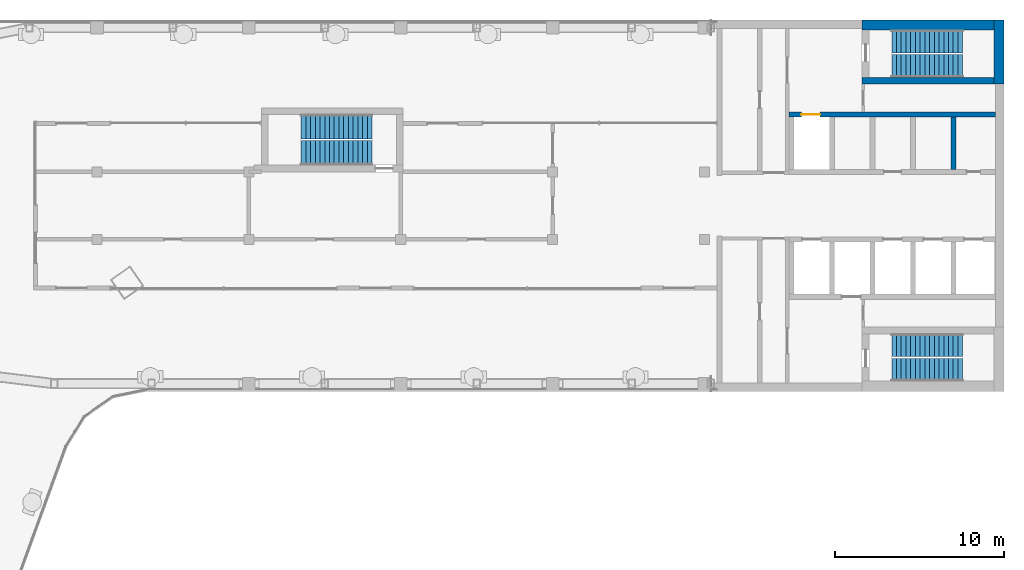
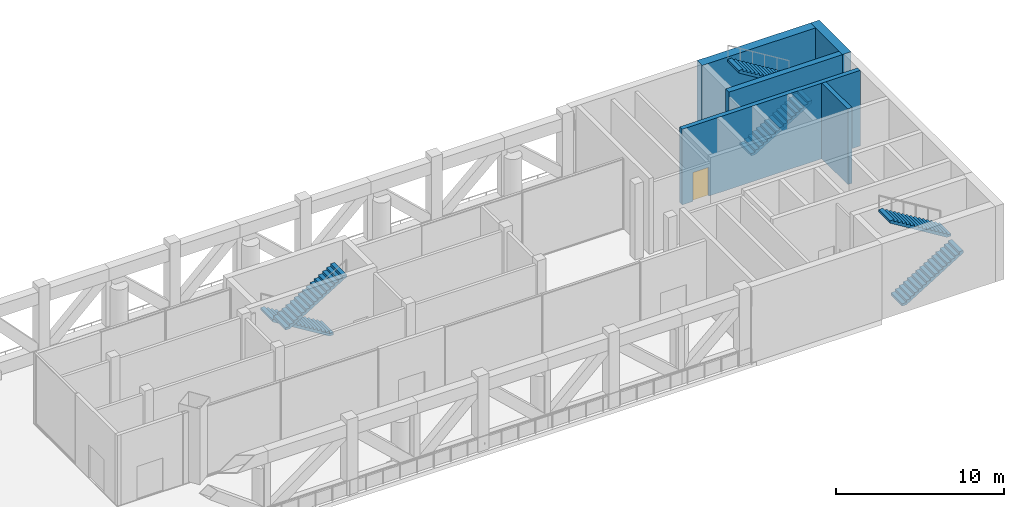
# One storey, part 10 of 14: 6 stair flights, 5 walls, 1 door, 1 opening, 3 elements without a shape of their own.
"""IFC4 building model written with IfcOpenShell, lengths in metres."""

import ifcopenshell
import ifcopenshell.guid

model = None  # the IFC model being written
_history = None  # IfcOwnerHistory: only IFC2X3 demands one
_inside = {}  # id of a spatial element -> (the spatial element, [elements in it])
_under = {}  # id of a project, library or spatial element -> (it, [spatial elements below it])
_declared = {}  # id of a project -> (the project, [libraries it declares])
_typed = {}  # id of a type object -> (the type object, [elements of that type])
_made_of = {}  # id of a material, layer set ... -> (it, [elements and type objects made of it])


def new_model(schema):
    """Start an empty IFC model of exactly this schema.

    Asked for "IFC4X3", IfcOpenShell would pick the latest addendum, in which some entities
    have other attributes; the version numbers below select the first issue.
    IFC2X3 requires an IfcOwnerHistory on every rooted entity: one is made here for all.
    """
    global model, _history
    if schema == "IFC4X3":
        model = ifcopenshell.file(schema_version=(4, 3, 0, 0))
    else:
        model = ifcopenshell.file(schema=schema)
    _inside.clear()
    _under.clear()
    _declared.clear()
    _typed.clear()
    _made_of.clear()
    _history = None
    if model.schema == "IFC2X3":
        org = make("IfcOrganization", Name="unknown")
        user = make(
            "IfcPersonAndOrganization",
            ThePerson=make("IfcPerson", FamilyName="unknown"),
            TheOrganization=org,
        )
        app = make(
            "IfcApplication",
            ApplicationDeveloper=org,
            Version="unknown",
            ApplicationFullName="unknown",
            ApplicationIdentifier="unknown",
        )
        _history = make(
            "IfcOwnerHistory",
            OwningUser=user,
            OwningApplication=app,
            ChangeAction="ADDED",
            CreationDate=0,
        )
    return model


def make(cls, **values):
    """One entity of the class cls with the attributes given. An attribute that is None is left unset."""
    return model.create_entity(
        cls, **{name: value for name, value in values.items() if value is not None}
    )


def rooted(cls, **values):
    """An entity with a GlobalId (a new one), such as an element, a storey or a relation."""
    return make(cls, GlobalId=ifcopenshell.guid.new(), OwnerHistory=_history, **values)


def si_unit(unit_type, name, prefix=None):
    """IfcSIUnit, for example si_unit("LENGTHUNIT", "METRE", prefix="MILLI")."""
    return make("IfcSIUnit", UnitType=unit_type, Prefix=prefix, Name=name)


def assignment(units):
    """IfcUnitAssignment: the units of a project."""
    return None if units is None else make("IfcUnitAssignment", Units=units)


def point(xyz):
    """IfcCartesianPoint."""
    return None if xyz is None else make("IfcCartesianPoint", Coordinates=xyz)


def direction(xyz):
    """IfcDirection."""
    return None if xyz is None else make("IfcDirection", DirectionRatios=xyz)


def frame(location, z_axis=None, x_axis=None):
    """IfcAxis2Placement3D, a coordinate frame: its origin and axes. An axis left out is left unset."""
    return make(
        "IfcAxis2Placement3D",
        Location=point(location),
        Axis=direction(z_axis),
        RefDirection=direction(x_axis),
    )


def frame_2d(location, x_axis=None):
    """IfcAxis2Placement2D, a coordinate frame in the plane: its origin and x axis."""
    return make(
        "IfcAxis2Placement2D", Location=point(location), RefDirection=direction(x_axis)
    )


def origin():
    """The frame at (0, 0, 0) with its axes left unset."""
    return frame((0.0, 0.0, 0.0))


def place(relative_to, where):
    """IfcLocalPlacement: puts the frame where relative to a parent placement (None: the world)."""
    return make(
        "IfcLocalPlacement", PlacementRelTo=relative_to, RelativePlacement=where
    )


def context(
    kind, dimensions, precision=None, world=None, true_north=None, identifier=None
):
    """IfcGeometricRepresentationContext, for example the 3D "Model" context."""
    return make(
        "IfcGeometricRepresentationContext",
        ContextIdentifier=identifier,
        ContextType=kind,
        CoordinateSpaceDimension=dimensions,
        Precision=precision,
        WorldCoordinateSystem=world,
        TrueNorth=true_north,
    )


def subcontext(parent, identifier, kind, view, scale=None):
    """IfcGeometricRepresentationSubContext, for example "Body" below "Model"."""
    return make(
        "IfcGeometricRepresentationSubContext",
        ContextIdentifier=identifier,
        ContextType=kind,
        ParentContext=parent,
        TargetScale=scale,
        TargetView=view,
    )


def project(units=None, contexts=None):
    """IfcProject with its units and contexts."""
    return rooted(
        "IfcProject",
        Name="project",
        RepresentationContexts=contexts,
        UnitsInContext=assignment(units),
    )


def spatial(cls, under=None, at=None, **own):
    """A site, building, storey or space (cls), placed at a placement, below another one or the project."""
    s = rooted(cls, ObjectPlacement=at, **own)
    if under is not None:
        _under.setdefault(under.id(), (under, []))[1].append(s)
    return s


def polyline(points):
    """IfcPolyline through the points."""
    return make("IfcPolyline", Points=[point(p) for p in points])


def profile(cls, at=None, kind="AREA", **sizes):
    """A parametric profile (cls). Its sizes go by their IFC names, for example OverallWidth=200.0."""
    return make(cls, ProfileType=kind, Position=at, **sizes)


def rectangle(**sizes):
    """IfcRectangleProfileDef."""
    return profile("IfcRectangleProfileDef", **sizes)


def outline(outer, holes=None, kind="AREA"):
    """IfcArbitraryClosedProfileDef: a profile drawn as a closed curve; with holes, ...WithVoids."""
    if holes is None:
        return make("IfcArbitraryClosedProfileDef", ProfileType=kind, OuterCurve=outer)
    return make(
        "IfcArbitraryProfileDefWithVoids",
        ProfileType=kind,
        OuterCurve=outer,
        InnerCurves=holes,
    )


def extrude(swept, where, along, depth):
    """IfcExtrudedAreaSolid: the profile swept, set in the frame where, extruded along a direction by depth."""
    return make(
        "IfcExtrudedAreaSolid",
        SweptArea=swept,
        Position=where,
        ExtrudedDirection=direction(along),
        Depth=depth,
    )


def shape(context_of_items, identifier, shape_type, items):
    """IfcShapeRepresentation: the items that make up one representation, for example the "Body"."""
    return make(
        "IfcShapeRepresentation",
        ContextOfItems=context_of_items,
        RepresentationIdentifier=identifier,
        RepresentationType=shape_type,
        Items=items,
    )


def material(Name=None, Category=None):
    """IfcMaterial."""
    return make("IfcMaterial", Name=Name, Category=Category)


def layer(
    of_material, thickness, ventilated=None, Name=None, Category=None, Priority=None
):
    """IfcMaterialLayer: one layer of a wall or slab, of a material (None: an air gap)."""
    return make(
        "IfcMaterialLayer",
        Material=of_material,
        LayerThickness=thickness,
        IsVentilated=ventilated,
        Name=Name,
        Category=Category,
        Priority=Priority,
    )


def layer_set(layers, Name=None):
    """IfcMaterialLayerSet."""
    return make("IfcMaterialLayerSet", MaterialLayers=layers, LayerSetName=Name)


def made_of(thing, what):
    """Note that an element or type object is made of a material, layer set ...; save() writes the relation."""
    if what is not None:
        _made_of.setdefault(what.id(), (what, []))[1].append(thing)
    return thing


def type_object(cls, material=None, **own):
    """A type object (cls), such as IfcWallType, which elements share."""
    return made_of(rooted(cls, **own), material)


def element(
    cls,
    number,
    at=None,
    inside=None,
    cuts=None,
    type_object=None,
    material=None,
    context=None,
    identifier="Body",
    shape_type=None,
    held_by="IfcProductDefinitionShape",
    body=None,
    shapes=None,
    **own,
):
    """One element of the class cls, such as IfcWall. Its Tag is "e" and its number.

    at: its placement. inside: the storey or other place that contains it. cuts: it is an
    opening in that element (IfcRelVoidsElement). A single representation is given by context,
    identifier, shape_type and body (its items); several are given by shapes. held_by: the class
    of the entity that holds the representations. save() writes the other relations.
    """
    e = rooted(cls, Tag="e%d" % number, ObjectPlacement=at, **own)
    if body is not None:
        shapes = [shape(context, identifier, shape_type, body)]
    if shapes is not None:
        e.Representation = make(held_by, Representations=shapes)
    if inside is not None:
        _inside.setdefault(inside.id(), (inside, []))[1].append(e)
    if cuts is not None:
        rooted(
            "IfcRelVoidsElement", RelatingBuildingElement=cuts, RelatedOpeningElement=e
        )
    if type_object is not None:
        _typed.setdefault(type_object.id(), (type_object, []))[1].append(e)
    return made_of(e, material)


def fill(opening, filler):
    """IfcRelFillsElement: the door or window that sits in an opening."""
    return rooted(
        "IfcRelFillsElement",
        RelatingOpeningElement=opening,
        RelatedBuildingElement=filler,
    )


def aggregate(whole, parts):
    """IfcRelAggregates: a whole, such as a stair, and the parts it consists of."""
    return rooted("IfcRelAggregates", RelatingObject=whole, RelatedObjects=parts)


def save(model, path):
    """Write the relations noted so far, then the file.

    IfcRelAggregates (storeys below a building ...), IfcRelContainedInSpatialStructure (elements
    in a storey), IfcRelDefinesByType, IfcRelAssociatesMaterial and IfcRelDeclares: one each for
    every whole, place, type object, material and project.
    """
    for whole, parts in _under.values():
        aggregate(whole, parts)
    for where, things in _inside.values():
        rooted(
            "IfcRelContainedInSpatialStructure",
            RelatedElements=things,
            RelatingStructure=where,
        )
    for kind, things in _typed.values():
        rooted("IfcRelDefinesByType", RelatedObjects=things, RelatingType=kind)
    for what, things in _made_of.values():
        rooted("IfcRelAssociatesMaterial", RelatedObjects=things, RelatingMaterial=what)
    for by, libraries in _declared.values():
        rooted("IfcRelDeclares", RelatingContext=by, RelatedDefinitions=libraries)
    model.write(path)


model = new_model("IFC4")

# Units and contexts
model_context = context("Model", 3, precision=1e-05, world=origin(), true_north=direction((0.0, 1.0)))
body_context = subcontext(model_context, "Body", "Model", "MODEL_VIEW")
ifc_project = project(units=[si_unit("LENGTHUNIT", "METRE"), si_unit("AREAUNIT", "SQUARE_METRE"), si_unit("VOLUMEUNIT", "CUBIC_METRE"), si_unit("PLANEANGLEUNIT", "RADIAN"), si_unit("MASSUNIT", "GRAM", prefix="KILO")], contexts=[model_context])

# Site, building, storey
site_placement = place(None, origin())
site = spatial("IfcSite", under=ifc_project, at=site_placement, CompositionType="ELEMENT")
building_placement = place(site_placement, origin())
building = spatial("IfcBuilding", under=site, at=building_placement, Name="Skarvind Civic Tower", CompositionType="ELEMENT")
storey_placement = place(building_placement, frame((0.0, 0.0, 236.0)))
storey = spatial("IfcBuildingStorey", under=building, at=storey_placement, Name="L56", CompositionType="ELEMENT", Elevation=236.0)

# Wall, opening, door
ifc_material_1 = material(Name="Concrete C60", Category="concrete")
ifc_layer_1 = layer(ifc_material_1, 0.300048828125)
ifc_layer_set_1 = layer_set([ifc_layer_1], Name="Core wall 300 C60")
wall_type_1 = type_object("IfcWallType", Name="Core wall 300 C60", PredefinedType="SHEAR", material=ifc_layer_set_1)
wall_1_placement = place(storey_placement, frame((107.5, 133.39990234375, 0.0), z_axis=(0.0, 0.0, 1.0), x_axis=(-1.0, 0.0, 0.0)))
wall_1 = element("IfcWall", 1, at=wall_1_placement, inside=storey, type_object=wall_type_1, Name="Core wall C1 south lift row back L56", PredefinedType="SHEAR", context=body_context, shape_type="SweptSolid", body=[
    extrude(rectangle(XDim=12.25, YDim=0.300048828125, at=frame_2d((6.125, 0.0))), origin(), (0.0, 0.0, 1.0), 5.5),
])
opening_placement = place(wall_1_placement, frame((10.39990234375, 0.0, 0.0)))
opening = element("IfcOpeningElement", 2, at=opening_placement, cuts=wall_1, Name="Opening LD58110", PredefinedType="OPENING", context=body_context, shape_type="SweptSolid", body=[
    extrude(rectangle(XDim=1.10009765625, YDim=2.10009765625, at=frame_2d((0.550048828125, 1.050048828125))), frame((0.0, 0.159912109375, 0.0), z_axis=(0.0, -1.0, 0.0), x_axis=(1.0, 0.0, 0.0)), (0.0, 0.0, 1.0), 0.320068359375),
])
ifc_material_2 = material(Name="Stainless steel landing door", Category="steel")
door_type = type_object("IfcDoorType", Name="Lift landing door 1100", OperationType="DOUBLE_DOOR_SLIDING", PredefinedType="DOOR", material=ifc_material_2)
door_placement = place(opening_placement, origin())
door = element("IfcDoor", 3, at=door_placement, inside=storey, type_object=door_type, Name="Lift landing door", OperationType="DOUBLE_DOOR_SLIDING", OverallHeight=2.10009765625, OverallWidth=1.10009765625, PredefinedType="DOOR", context=body_context, shape_type="SweptSolid", body=[
    extrude(rectangle(XDim=1.10009765625, YDim=2.10009765625, at=frame_2d((0.550048828125, 1.050048828125))), frame((0.0, 0.02490234375, 0.0), z_axis=(0.0, -1.0, 0.0), x_axis=(1.0, 0.0, 0.0)), (0.0, 0.0, 1.0), 0.050048828125),
])
fill(opening, door)

# Walls
wall_2_placement = place(storey_placement, frame((105.0, 133.25, 0.0), z_axis=(0.0, 0.0, 1.0), x_axis=(0.0, -1.0, 0.0)))
element("IfcWall", 4, at=wall_2_placement, inside=storey, type_object=wall_type_1, Name="Core wall C1 south lift row division 1 L56", PredefinedType="SHEAR", context=body_context, shape_type="SweptSolid", body=[
    extrude(rectangle(XDim=3.10009765625, YDim=0.300048828125, at=frame_2d((1.550048828125, 0.0))), origin(), (0.0, 0.0, 1.0), 5.5),
])
ifc_layer_2 = layer(ifc_material_1, 0.39990234375)
ifc_layer_set_2 = layer_set([ifc_layer_2], Name="Core wall 400 C60")
wall_type_2 = type_object("IfcWallType", Name="Core wall 400 C60", PredefinedType="SHEAR", material=ifc_layer_set_2)
wall_3_placement = place(storey_placement, frame((107.39990234375, 135.39990234375, 0.0), z_axis=(0.0, 0.0, 1.0), x_axis=(-1.0, 0.0, 0.0)))
element("IfcWall", 5, at=wall_3_placement, inside=storey, type_object=wall_type_2, Name="Core wall C1 south stair inner L56", PredefinedType="SHEAR", context=body_context, shape_type="SweptSolid", body=[
    extrude(rectangle(XDim=7.7998046875, YDim=0.39990234375, at=frame_2d((3.89990234375, 0.0))), origin(), (0.0, 0.0, 1.0), 5.5),
])
ifc_layer_3 = layer(ifc_material_1, 0.60009765625)
ifc_layer_set_3 = layer_set([ifc_layer_3], Name="Core wall 600 C60")
wall_type_3 = type_object("IfcWallType", Name="Core wall 600 C60", PredefinedType="SHEAR", material=ifc_layer_set_3)
wall_4_placement = place(storey_placement, frame((107.699951171875, 139.0, 0.0), z_axis=(0.0, 0.0, 1.0), x_axis=(0.0, -1.0, 0.0)))
element("IfcWall", 6, at=wall_4_placement, inside=storey, type_object=wall_type_3, Name="Core wall C1 tip at the south stair L56", PredefinedType="SHEAR", context=body_context, shape_type="SweptSolid", body=[
    extrude(rectangle(XDim=3.800048828125, YDim=0.60009765625, at=frame_2d((1.89990234375, 0.0))), origin(), (0.0, 0.0, 1.0), 5.5),
])
wall_5_placement = place(storey_placement, frame((107.39990234375, 138.699951171875, 0.0), z_axis=(0.0, 0.0, 1.0), x_axis=(-1.0, 0.0, 0.0)))
element("IfcWall", 7, at=wall_5_placement, inside=storey, type_object=wall_type_3, Name="Core wall C1 south side at the stair L56", PredefinedType="SHEAR", context=body_context, shape_type="SweptSolid", body=[
    extrude(rectangle(XDim=7.7998046875, YDim=0.60009765625, at=frame_2d((3.89990234375, 0.0))), origin(), (0.0, 0.0, 1.0), 5.5),
])

# Stair, stair flights
ifc_material_3 = material(Name="Concrete C40/50", Category="concrete")
stair_type_1 = type_object("IfcStairType", Name="Exit stair 1450, half-turn, concrete", PredefinedType="HALF_TURN_STAIR", material=ifc_material_3)
stair_1_placement = place(storey_placement, origin())
stair_1 = element("IfcStair", 8, at=stair_1_placement, inside=storey, type_object=stair_type_1, Name="Exit stair CM", PredefinedType="HALF_TURN_STAIR")
stair_flight_type_1 = type_object("IfcStairFlightType", Name="Stair flight 1450, concrete", PredefinedType="STRAIGHT", material=ifc_material_3)
stair_flight_1_placement = place(storey_placement, frame((70.550048828125, 132.675048828125, 0.0), z_axis=(0.0, 0.0, 1.0), x_axis=(-1.0, 0.0, 0.0)))
stair_flight_1 = element("IfcStairFlight", 9, at=stair_flight_1_placement, type_object=stair_flight_type_1, Name="ST-CM flight 1", NumberOfRisers=16, NumberOfTreads=15, PredefinedType="STRAIGHT", RiserHeight=0.171875, TreadLength=0.28, context=body_context, shape_type="SweptSolid", body=[
    extrude(outline(polyline([(0.0, 0.0), (0.0, 0.171875), (0.280029296875, 0.171875), (0.280029296875, 0.34375), (0.56005859375, 0.34375), (0.56005859375, 0.515625), (0.840087890625, 0.515625), (0.840087890625, 0.6875), (1.1201171875, 0.6875), (1.1201171875, 0.859375), (1.39990234375, 0.859375), (1.39990234375, 1.03125), (1.679931640625, 1.03125), (1.679931640625, 1.203125), (1.9599609375, 1.203125), (1.9599609375, 1.375), (2.239990234375, 1.375), (2.239990234375, 1.546875), (2.52001953125, 1.546875), (2.52001953125, 1.71875), (2.800048828125, 1.71875), (2.800048828125, 1.890625), (3.080078125, 1.890625), (3.080078125, 2.0625), (3.360107421875, 2.0625), (3.360107421875, 2.234375), (3.639892578125, 2.234375), (3.639892578125, 2.40625), (3.919921875, 2.40625), (3.919921875, 2.578125), (4.199951171875, 2.578125), (4.199951171875, 2.75), (4.199951171875, 2.40234375), (0.28662109375, 0.0), (0.0, 0.0)])), frame((0.0, 0.72509765625, 0.0), z_axis=(0.0, -1.0, 0.0), x_axis=(1.0, 0.0, 0.0)), (0.0, 0.0, 1.0), 1.449951171875),
])
stair_flight_2_placement = place(storey_placement, frame((66.35009765625, 131.125, 2.75), z_axis=(0.0, 0.0, 1.0), x_axis=(1.0, 0.0, 0.0)))
stair_flight_2 = element("IfcStairFlight", 10, at=stair_flight_2_placement, type_object=stair_flight_type_1, Name="ST-CM flight 2", NumberOfRisers=16, NumberOfTreads=15, PredefinedType="STRAIGHT", RiserHeight=0.171875, TreadLength=0.28, context=body_context, shape_type="SweptSolid", body=[
    extrude(outline(polyline([(0.0, 0.0), (0.0, 0.171875), (0.280029296875, 0.171875), (0.280029296875, 0.34375), (0.56005859375, 0.34375), (0.56005859375, 0.515625), (0.840087890625, 0.515625), (0.840087890625, 0.6875), (1.1201171875, 0.6875), (1.1201171875, 0.859375), (1.39990234375, 0.859375), (1.39990234375, 1.03125), (1.679931640625, 1.03125), (1.679931640625, 1.203125), (1.9599609375, 1.203125), (1.9599609375, 1.375), (2.239990234375, 1.375), (2.239990234375, 1.546875), (2.52001953125, 1.546875), (2.52001953125, 1.71875), (2.800048828125, 1.71875), (2.800048828125, 1.890625), (3.080078125, 1.890625), (3.080078125, 2.0625), (3.360107421875, 2.0625), (3.360107421875, 2.234375), (3.639892578125, 2.234375), (3.639892578125, 2.40625), (3.919921875, 2.40625), (3.919921875, 2.578125), (4.199951171875, 2.578125), (4.199951171875, 2.75), (4.199951171875, 2.40234375), (0.28662109375, 0.0), (0.0, 0.0)])), frame((0.0, 0.72509765625, 0.0), z_axis=(0.0, -1.0, 0.0), x_axis=(1.0, 0.0, 0.0)), (0.0, 0.0, 1.0), 1.449951171875),
])
aggregate(stair_1, [stair_flight_1, stair_flight_2])

stair_type_2 = type_object("IfcStairType", Name="Exit stair, half-turn, concrete", PredefinedType="HALF_TURN_STAIR", material=ifc_material_3)
stair_2_placement = place(storey_placement, origin())
stair_2 = element("IfcStair", 11, at=stair_2_placement, inside=storey, type_object=stair_type_2, Name="Exit stair C1S", PredefinedType="HALF_TURN_STAIR")
stair_flight_type_2 = type_object("IfcStairFlightType", Name="Stair flight, concrete", PredefinedType="STRAIGHT", material=ifc_material_3)
stair_flight_3_placement = place(storey_placement, frame((101.35009765625, 136.27490234375, 0.0), z_axis=(0.0, 0.0, 1.0), x_axis=(1.0, 0.0, 0.0)))
stair_flight_3 = element("IfcStairFlight", 12, at=stair_flight_3_placement, type_object=stair_flight_type_2, Name="ST-C1S flight 1", NumberOfRisers=16, NumberOfTreads=15, PredefinedType="STRAIGHT", RiserHeight=0.171875, TreadLength=0.28, context=body_context, shape_type="SweptSolid", body=[
    extrude(outline(polyline([(0.0, 0.0), (0.0, 0.171875), (0.280029296875, 0.171875), (0.280029296875, 0.34375), (0.56005859375, 0.34375), (0.56005859375, 0.515625), (0.840087890625, 0.515625), (0.840087890625, 0.6875), (1.1201171875, 0.6875), (1.1201171875, 0.859375), (1.39990234375, 0.859375), (1.39990234375, 1.03125), (1.679931640625, 1.03125), (1.679931640625, 1.203125), (1.9599609375, 1.203125), (1.9599609375, 1.375), (2.239990234375, 1.375), (2.239990234375, 1.546875), (2.52001953125, 1.546875), (2.52001953125, 1.71875), (2.800048828125, 1.71875), (2.800048828125, 1.890625), (3.080078125, 1.890625), (3.080078125, 2.0625), (3.360107421875, 2.0625), (3.360107421875, 2.234375), (3.639892578125, 2.234375), (3.639892578125, 2.40625), (3.919921875, 2.40625), (3.919921875, 2.578125), (4.199951171875, 2.578125), (4.199951171875, 2.75), (4.199951171875, 2.40234375), (0.28662109375, 0.0), (0.0, 0.0)])), frame((0.0, 0.675048828125, 0.0), z_axis=(0.0, -1.0, 0.0), x_axis=(1.0, 0.0, 0.0)), (0.0, 0.0, 1.0), 1.35009765625),
])
stair_flight_4_placement = place(storey_placement, frame((105.550048828125, 137.72509765625, 2.75), z_axis=(0.0, 0.0, 1.0), x_axis=(-1.0, 0.0, 0.0)))
stair_flight_4 = element("IfcStairFlight", 13, at=stair_flight_4_placement, type_object=stair_flight_type_2, Name="ST-C1S flight 2", NumberOfRisers=16, NumberOfTreads=15, PredefinedType="STRAIGHT", RiserHeight=0.171875, TreadLength=0.28, context=body_context, shape_type="SweptSolid", body=[
    extrude(outline(polyline([(0.0, 0.0), (0.0, 0.171875), (0.280029296875, 0.171875), (0.280029296875, 0.34375), (0.56005859375, 0.34375), (0.56005859375, 0.515625), (0.840087890625, 0.515625), (0.840087890625, 0.6875), (1.1201171875, 0.6875), (1.1201171875, 0.859375), (1.39990234375, 0.859375), (1.39990234375, 1.03125), (1.679931640625, 1.03125), (1.679931640625, 1.203125), (1.9599609375, 1.203125), (1.9599609375, 1.375), (2.239990234375, 1.375), (2.239990234375, 1.546875), (2.52001953125, 1.546875), (2.52001953125, 1.71875), (2.800048828125, 1.71875), (2.800048828125, 1.890625), (3.080078125, 1.890625), (3.080078125, 2.0625), (3.360107421875, 2.0625), (3.360107421875, 2.234375), (3.639892578125, 2.234375), (3.639892578125, 2.40625), (3.919921875, 2.40625), (3.919921875, 2.578125), (4.199951171875, 2.578125), (4.199951171875, 2.75), (4.199951171875, 2.40234375), (0.28662109375, 0.0), (0.0, 0.0)])), frame((0.0, 0.675048828125, 0.0), z_axis=(0.0, -1.0, 0.0), x_axis=(1.0, 0.0, 0.0)), (0.0, 0.0, 1.0), 1.35009765625),
])
aggregate(stair_2, [stair_flight_3, stair_flight_4])

stair_3_placement = place(storey_placement, origin())
stair_3 = element("IfcStair", 14, at=stair_3_placement, inside=storey, type_object=stair_type_2, Name="Exit stair C1N", PredefinedType="HALF_TURN_STAIR")
stair_flight_5_placement = place(storey_placement, frame((101.35009765625, 118.27490234375, 0.0), z_axis=(0.0, 0.0, 1.0), x_axis=(1.0, 0.0, 0.0)))
stair_flight_5 = element("IfcStairFlight", 15, at=stair_flight_5_placement, type_object=stair_flight_type_2, Name="ST-C1N flight 1", NumberOfRisers=16, NumberOfTreads=15, PredefinedType="STRAIGHT", RiserHeight=0.171875, TreadLength=0.28, context=body_context, shape_type="SweptSolid", body=[
    extrude(outline(polyline([(0.0, 0.0), (0.0, 0.171875), (0.280029296875, 0.171875), (0.280029296875, 0.34375), (0.56005859375, 0.34375), (0.56005859375, 0.515625), (0.840087890625, 0.515625), (0.840087890625, 0.6875), (1.1201171875, 0.6875), (1.1201171875, 0.859375), (1.39990234375, 0.859375), (1.39990234375, 1.03125), (1.679931640625, 1.03125), (1.679931640625, 1.203125), (1.9599609375, 1.203125), (1.9599609375, 1.375), (2.239990234375, 1.375), (2.239990234375, 1.546875), (2.52001953125, 1.546875), (2.52001953125, 1.71875), (2.800048828125, 1.71875), (2.800048828125, 1.890625), (3.080078125, 1.890625), (3.080078125, 2.0625), (3.360107421875, 2.0625), (3.360107421875, 2.234375), (3.639892578125, 2.234375), (3.639892578125, 2.40625), (3.919921875, 2.40625), (3.919921875, 2.578125), (4.199951171875, 2.578125), (4.199951171875, 2.75), (4.199951171875, 2.40234375), (0.28662109375, 0.0), (0.0, 0.0)])), frame((0.0, 0.675048828125, 0.0), z_axis=(0.0, -1.0, 0.0), x_axis=(1.0, 0.0, 0.0)), (0.0, 0.0, 1.0), 1.35009765625),
])
stair_flight_6_placement = place(storey_placement, frame((105.550048828125, 119.72509765625, 2.75), z_axis=(0.0, 0.0, 1.0), x_axis=(-1.0, 0.0, 0.0)))
stair_flight_6 = element("IfcStairFlight", 16, at=stair_flight_6_placement, type_object=stair_flight_type_2, Name="ST-C1N flight 2", NumberOfRisers=16, NumberOfTreads=15, PredefinedType="STRAIGHT", RiserHeight=0.171875, TreadLength=0.28, context=body_context, shape_type="SweptSolid", body=[
    extrude(outline(polyline([(0.0, 0.0), (0.0, 0.171875), (0.280029296875, 0.171875), (0.280029296875, 0.34375), (0.56005859375, 0.34375), (0.56005859375, 0.515625), (0.840087890625, 0.515625), (0.840087890625, 0.6875), (1.1201171875, 0.6875), (1.1201171875, 0.859375), (1.39990234375, 0.859375), (1.39990234375, 1.03125), (1.679931640625, 1.03125), (1.679931640625, 1.203125), (1.9599609375, 1.203125), (1.9599609375, 1.375), (2.239990234375, 1.375), (2.239990234375, 1.546875), (2.52001953125, 1.546875), (2.52001953125, 1.71875), (2.800048828125, 1.71875), (2.800048828125, 1.890625), (3.080078125, 1.890625), (3.080078125, 2.0625), (3.360107421875, 2.0625), (3.360107421875, 2.234375), (3.639892578125, 2.234375), (3.639892578125, 2.40625), (3.919921875, 2.40625), (3.919921875, 2.578125), (4.199951171875, 2.578125), (4.199951171875, 2.75), (4.199951171875, 2.40234375), (0.28662109375, 0.0), (0.0, 0.0)])), frame((0.0, 0.675048828125, 0.0), z_axis=(0.0, -1.0, 0.0), x_axis=(1.0, 0.0, 0.0)), (0.0, 0.0, 1.0), 1.35009765625),
])
aggregate(stair_3, [stair_flight_5, stair_flight_6])

save(model, "model.ifc")
